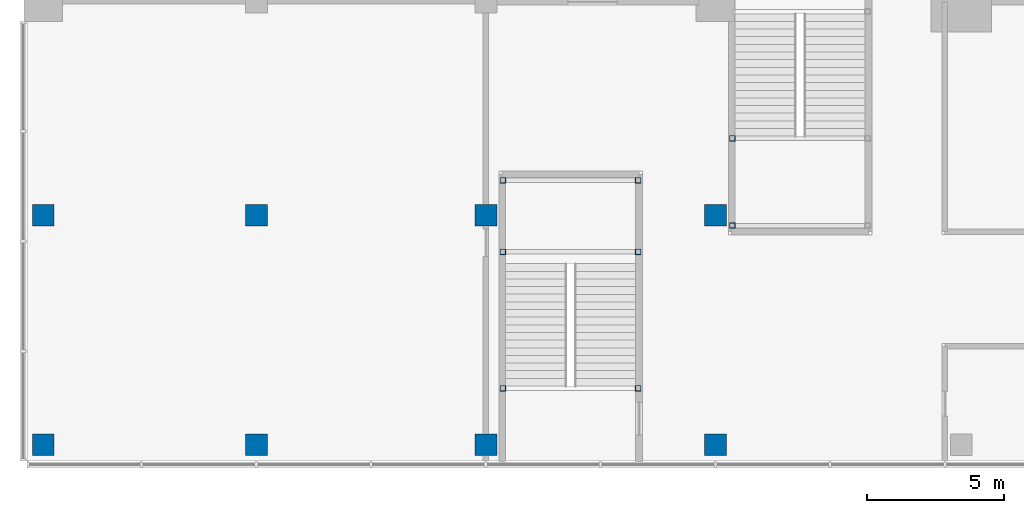
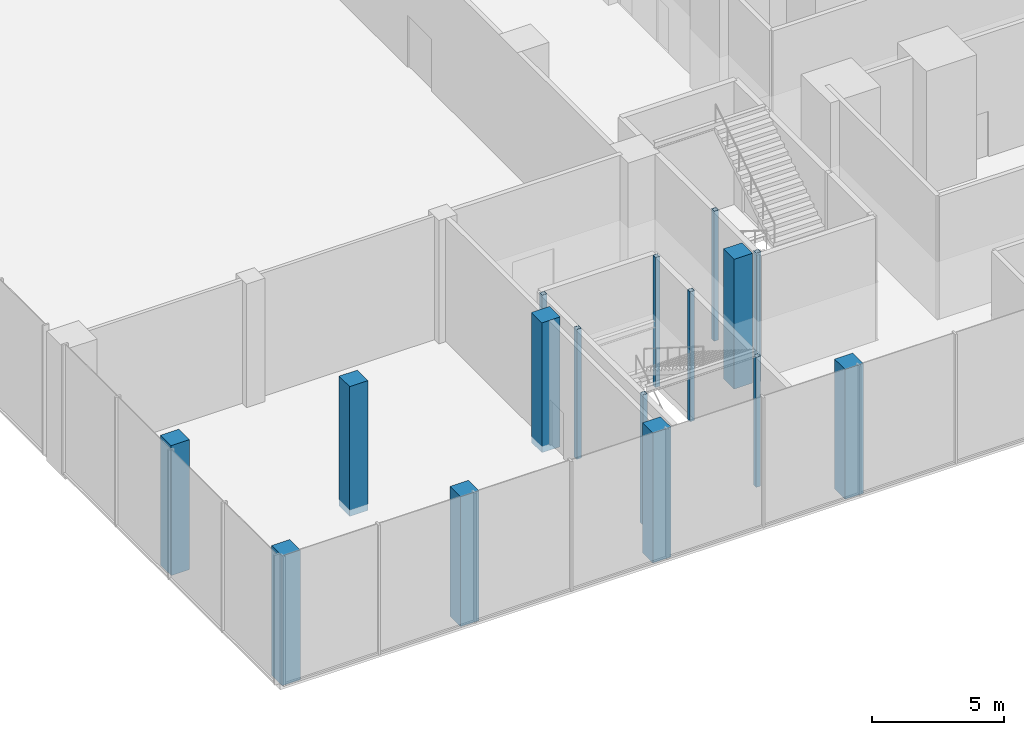
# One storey, part 1 of 32: 16 columns.
"""IFC4 building model written with IfcOpenShell, lengths in metres."""

from ifc_helpers import new_model, si_unit, direction, frame, origin, origin_2d, place, context, subcontext, project, spatial, rectangle, hollow_rectangle, extrude, material, material_profile, profile_set, type_object, element, save


model = new_model("IFC4")

# Units and contexts
model_context = context("Model", 3, precision=1e-05, world=origin(), true_north=direction((0.0, 1.0)))
body_context = subcontext(model_context, "Body", "Model", "MODEL_VIEW")
ifc_project = project(units=[si_unit("LENGTHUNIT", "METRE"), si_unit("AREAUNIT", "SQUARE_METRE"), si_unit("VOLUMEUNIT", "CUBIC_METRE"), si_unit("PLANEANGLEUNIT", "RADIAN"), si_unit("MASSUNIT", "GRAM", prefix="KILO")], contexts=[model_context])

# Site, building, storey
site_placement = place(None, origin())
site = spatial("IfcSite", under=ifc_project, at=site_placement, CompositionType="ELEMENT")
building_placement = place(site_placement, origin())
building = spatial("IfcBuilding", under=site, at=building_placement, Name="Dunama Terrace Hotel", CompositionType="ELEMENT")
storey_placement = place(building_placement, frame((0.0, 0.0, 6.0)))
storey = spatial("IfcBuildingStorey", under=building, at=storey_placement, Name="L01", CompositionType="ELEMENT", Elevation=6.0)

# Columns
ifc_material_1 = material(Name="Concrete C40/50", Category="concrete")
ifc_material_profile_1 = material_profile(ifc_material_1, rectangle(XDim=0.800048828125, YDim=0.800048828125, at=origin_2d()), Name="RC 800x800")
ifc_profile_set_1 = profile_set([ifc_material_profile_1], Name="Concrete C40/50")
column_type_1 = type_object("IfcColumnType", Name="Column RC 800x800", PredefinedType="COLUMN", material=ifc_profile_set_1)
for number, where, z_axis, x_axis, name in (
    (1, (-33.0, -7.800048828125, -0.300048828125), (0.0, 0.0, 1.0), (1.0, 0.0, 0.0), "Column L01 -33.0/-7.8"),
    (2, (-33.0, 0.60009765625, -0.300048828125), (0.0, 0.0, 1.0), (1.0, 0.0, 0.0), "Column L01 -33.0/+0.6"),
    (3, (-25.199951171875, -7.800048828125, -0.300048828125), (0.0, 0.0, 1.0), (1.0, 0.0, 0.0), "Column L01 -25.2/-7.8"),
    (4, (-25.199951171875, 0.60009765625, -0.300048828125), (0.0, 0.0, 1.0), (1.0, 0.0, 0.0), "Column L01 -25.2/+0.6"),
    (5, (-16.800048828125, -7.800048828125, -0.300048828125), (0.0, 0.0, 1.0), (1.0, 0.0, 0.0), "Column L01 -16.8/-7.8"),
    (6, (-16.800048828125, 0.60009765625, -0.300048828125), (0.0, 0.0, 1.0), (1.0, 0.0, 0.0), "Column L01 -16.8/+0.6"),
    (7, (-8.39990234375, -7.800048828125, -0.300048828125), (0.0, 0.0, 1.0), (1.0, 0.0, 0.0), "Column L01 -8.4/-7.8"),
    (8, (-8.39990234375, 0.60009765625, -0.300048828125), (0.0, 0.0, 1.0), (1.0, 0.0, 0.0), "Column L01 -8.4/+0.6"),
):
    element("IfcColumn", number, at=place(storey_placement, frame(where, z_axis=z_axis, x_axis=x_axis)), inside=storey, type_object=column_type_1, Name=name, PredefinedType="COLUMN", context=body_context, shape_type="SweptSolid", body=[
        extrude(rectangle(XDim=0.800048828125, YDim=0.800048828125, at=origin_2d()), origin(), (0.0, 0.0, 1.0), 6.0),
    ])
ifc_material_2 = material(Name="Steel S355", Category="steel")
ifc_material_profile_2 = material_profile(ifc_material_2, hollow_rectangle(XDim=0.199951171875, YDim=0.199951171875, WallThickness=0.010009765625, at=origin_2d()), Name="SHS 200x200x10")
ifc_profile_set_2 = profile_set([ifc_material_profile_2], Name="Steel S355")
column_type_2 = type_object("IfcColumnType", Name="Stair post SHS 200x200x10", PredefinedType="COLUMN", material=ifc_profile_set_2)
for number, where, z_axis, x_axis, name in (
    (9, (-16.175048828125, -5.732421875, -0.300048828125), (0.0, 0.0, 1.0), (1.0, 0.0, 0.0), "Stair post P2 L01 -16.18/-5.73"),
    (10, (-11.22509765625, -5.732421875, -0.300048828125), (0.0, 0.0, 1.0), (1.0, 0.0, 0.0), "Stair post P2 L01 -11.22/-5.73"),
    (11, (-16.175048828125, -0.737548828125, -0.300048828125), (0.0, 0.0, 1.0), (1.0, 0.0, 0.0), "Stair post P2 L01 -16.18/-0.74"),
    (12, (-11.22509765625, -0.737548828125, -0.300048828125), (0.0, 0.0, 1.0), (1.0, 0.0, 0.0), "Stair post P2 L01 -11.22/-0.74"),
    (13, (-16.175048828125, 1.875, -0.300048828125), (0.0, 0.0, 1.0), (1.0, 0.0, 0.0), "Stair post P2 L01 -16.18/+1.88"),
    (14, (-11.22509765625, 1.875, -0.300048828125), (0.0, 0.0, 1.0), (1.0, 0.0, 0.0), "Stair post P2 L01 -11.22/+1.88"),
    (15, (-7.77490234375, 3.41259765625, -0.300048828125), (0.0, 0.0, 1.0), (1.0, 0.0, 0.0), "Stair post P4 L01 -7.78/+3.41"),
    (16, (-7.77490234375, 0.22509765625, -0.300048828125), (0.0, 0.0, 1.0), (1.0, 0.0, 0.0), "Stair post P4 L01 -7.78/+0.23"),
):
    element("IfcColumn", number, at=place(storey_placement, frame(where, z_axis=z_axis, x_axis=x_axis)), inside=storey, type_object=column_type_2, Name=name, PredefinedType="COLUMN", context=body_context, shape_type="SweptSolid", body=[
        extrude(hollow_rectangle(XDim=0.199951171875, YDim=0.199951171875, WallThickness=0.010009765625, at=origin_2d()), origin(), (0.0, 0.0, 1.0), 6.0),
    ])

save(model, "model.ifc")
